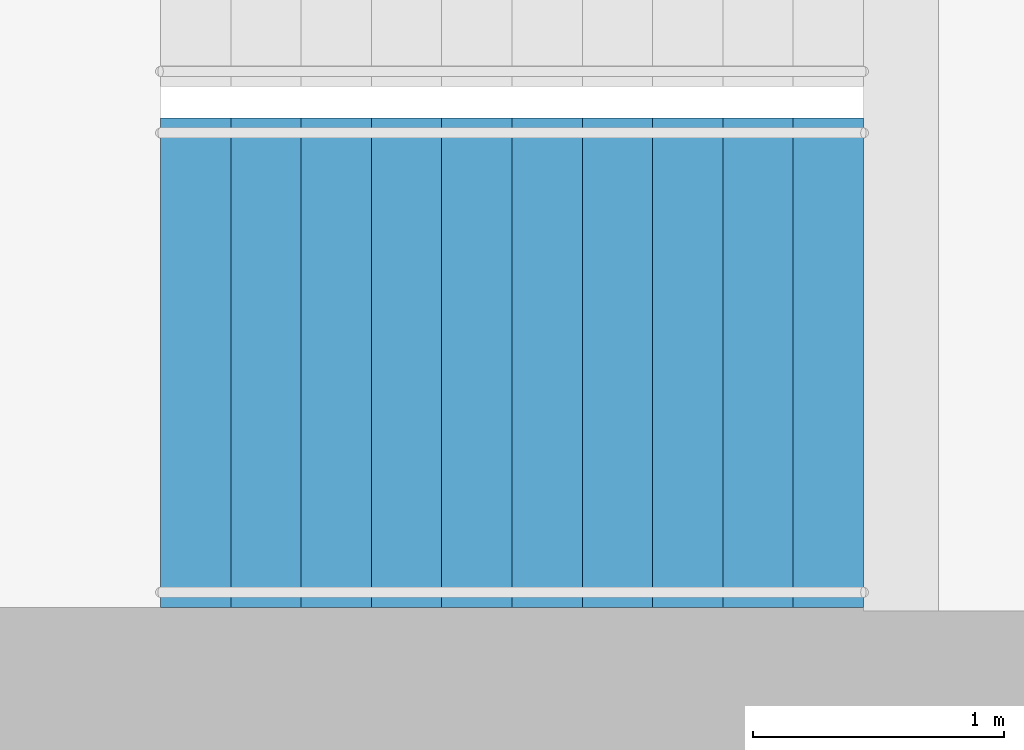
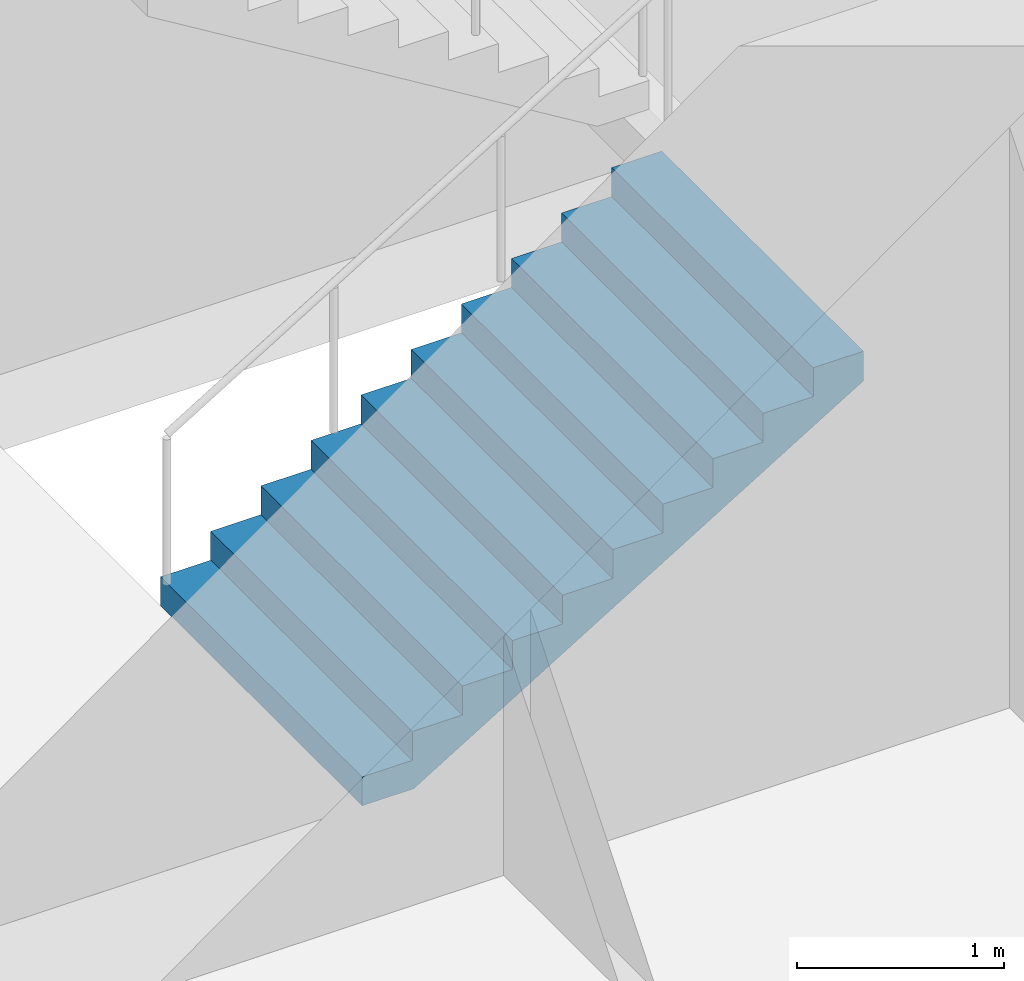
# One storey, part 23 of 28: 1 stair flight, 1 element without a shape of its own.
"""IFC4 building model written with IfcOpenShell, lengths in metres."""

from ifc_helpers import new_model, si_unit, direction, frame, origin, place, context, subcontext, project, spatial, triangles, material, type_object, element, aggregate, save


model = new_model("IFC4")

# Units and contexts
model_context = context("Model", 3, precision=1e-05, world=origin(), true_north=direction((0.0, 1.0)))
body_context = subcontext(model_context, "Body", "Model", "MODEL_VIEW")
ifc_project = project(units=[si_unit("LENGTHUNIT", "METRE"), si_unit("AREAUNIT", "SQUARE_METRE"), si_unit("VOLUMEUNIT", "CUBIC_METRE"), si_unit("PLANEANGLEUNIT", "RADIAN"), si_unit("MASSUNIT", "GRAM", prefix="KILO")], contexts=[model_context])

# Site, building, storey
site_placement = place(None, origin())
site = spatial("IfcSite", under=ifc_project, at=site_placement, CompositionType="ELEMENT")
building_placement = place(site_placement, origin())
building = spatial("IfcBuilding", under=site, at=building_placement, Name="Orbita Commons", CompositionType="ELEMENT")
storey_placement = place(building_placement, frame((0.0, 0.0, 193.60009765625)))
storey = spatial("IfcBuildingStorey", under=building, at=storey_placement, Name="L48", CompositionType="ELEMENT", Elevation=193.60009765625)

# Stair, stair flight
ifc_material_1 = material(Name="Precast concrete C40/50", Category="concrete")
stair_type = type_object("IfcStairType", Name="Exit stair S1 2 flights 11 risers 170", PredefinedType="HALF_TURN_STAIR", material=ifc_material_1)
stair_placement = place(storey_placement, origin())
stair = element("IfcStair", 1, at=stair_placement, inside=storey, type_object=stair_type, Name="Exit stair S1 L48", PredefinedType="HALF_TURN_STAIR")
ifc_material_2 = material(Name="Precast concrete C40/50", Category="concrete")
stair_flight_type = type_object("IfcStairFlightType", Name="Stair flight 11 risers 170 x 280", PredefinedType="STRAIGHT", material=ifc_material_2)
stair_flight_placement = place(storey_placement, frame((20.449951171875, 27.199951171875, 0.0), z_axis=(0.0, 0.0, 1.0), x_axis=(1.0, 0.0, 0.0)))
stair_flight = element("IfcStairFlight", 2, at=stair_flight_placement, type_object=stair_flight_type, Name="S1 flight 1", NumberOfRisers=11, NumberOfTreads=10, PredefinedType="STRAIGHT", RiserHeight=0.170454545, TreadLength=0.28, context=body_context, shape_type="Tessellation", body=[
    triangles([(0.0, 0.974976, 0.0), (0.0, 0.974976, 0.021307), (0.0, 0.81248, 0.021307), (0.0, 0.81248, 0.0), (0.0, 0.649984, 0.021307), (0.0, 0.649984, 0.0), (0.0, 0.487488, 0.021307), (0.0, 0.487488, 0.0), (0.0, 0.324992, 0.021307), (0.0, 0.324992, 0.0), (0.0, 0.162496, 0.021307), (0.0, 0.162496, 0.0), (0.0, 0.0, 0.021307), (0.0, 0.0, 0.0), (0.0, -0.162496, 0.021307), (0.0, -0.162496, 0.0), (0.0, -0.324992, 0.021307), (0.0, -0.324992, 0.0), (0.0, -0.487488, 0.021307), (0.0, -0.487488, 0.0), (0.0, -0.649984, 0.021307), (0.0, -0.649984, 0.0), (0.0, -0.81248, 0.021307), (0.0, -0.81248, 0.0), (0.0, -0.974976, 0.021307), (0.0, -0.974976, 0.0), (0.0, 0.974976, 0.042614), (0.0, 0.81248, 0.042614), (0.0, 0.649984, 0.042614), (0.0, 0.487488, 0.042614), (0.0, 0.324992, 0.042614), (0.0, 0.162496, 0.042614), (0.0, 0.0, 0.042614), (0.0, -0.162496, 0.042614), (0.0, -0.324992, 0.042614), (0.0, -0.487488, 0.042614), (0.0, -0.649984, 0.042614), (0.0, -0.81248, 0.042614), (0.0, -0.974976, 0.042614), (0.0, 0.974976, 0.06392), (0.0, 0.81248, 0.06392), (0.0, 0.649984, 0.06392), (0.0, 0.487488, 0.06392), (0.0, 0.324992, 0.06392), (0.0, 0.162496, 0.06392), (0.0, 0.0, 0.06392), (0.0, -0.162496, 0.06392), (0.0, -0.324992, 0.06392), (0.0, -0.487488, 0.06392), (0.0, -0.649984, 0.06392), (0.0, -0.81248, 0.06392), (0.0, -0.974976, 0.06392), (0.0, 0.974976, 0.085227), (0.0, 0.81248, 0.085227), (0.0, 0.649984, 0.085227), (0.0, 0.487488, 0.085227), (0.0, 0.324992, 0.085227), (0.0, 0.162496, 0.085227), (0.0, 0.0, 0.085227), (0.0, -0.162496, 0.085227), (0.0, -0.324992, 0.085227), (0.0, -0.487488, 0.085227), (0.0, -0.649984, 0.085227), (0.0, -0.81248, 0.085227), (0.0, -0.974976, 0.085227), (0.0, 0.974976, 0.106534), (0.0, 0.81248, 0.106534), (0.0, 0.649984, 0.106534), (0.0, 0.487488, 0.106534), (0.0, 0.324992, 0.106534), (0.0, 0.162496, 0.106534), (0.0, 0.0, 0.106534), (0.0, -0.162496, 0.106534), (0.0, -0.324992, 0.106534), (0.0, -0.487488, 0.106534), (0.0, -0.649984, 0.106534), (0.0, -0.81248, 0.106534), (0.0, -0.974976, 0.106534), (0.0, 0.974976, 0.127841), (0.0, 0.81248, 0.127841), (0.0, 0.649984, 0.127841), (0.0, 0.487488, 0.127841), (0.0, 0.324992, 0.127841), (0.0, 0.162496, 0.127841), (0.0, 0.0, 0.127841), (0.0, -0.162496, 0.127841), (0.0, -0.324992, 0.127841), (0.0, -0.487488, 0.127841), (0.0, -0.649984, 0.127841), (0.0, -0.81248, 0.127841), (0.0, -0.974976, 0.127841), (0.0, 0.974976, 0.149148), (0.0, 0.81248, 0.149148), (0.0, 0.649984, 0.149148), (0.0, 0.487488, 0.149148), (0.0, 0.324992, 0.149148), (0.0, 0.162496, 0.149148), (0.0, 0.0, 0.149148), (0.0, -0.162496, 0.149148), (0.0, -0.324992, 0.149148), (0.0, -0.487488, 0.149148), (0.0, -0.649984, 0.149148), (0.0, -0.81248, 0.149148), (0.0, -0.974976, 0.149148), (0.0, 0.974976, 0.170455), (0.0, 0.81248, 0.170455), (0.0, 0.649984, 0.170455), (0.0, 0.487488, 0.170455), (0.0, 0.324992, 0.170455), (0.0, 0.162496, 0.170455), (0.0, 0.0, 0.170455), (0.0, -0.162496, 0.170455), (0.0, -0.324992, 0.170455), (0.0, -0.487488, 0.170455), (0.0, -0.649984, 0.170455), (0.0, -0.81248, 0.170455), (0.0, -0.974976, 0.170455), (0.28, 0.974976, 0.170455), (0.28, 0.81248, 0.170455), (0.28, 0.649984, 0.170455), (0.28, 0.487488, 0.170455), (0.28, 0.324992, 0.170455), (0.28, 0.162496, 0.170455), (0.28, 0.0, 0.170455), (0.28, -0.162496, 0.170455), (0.28, -0.324992, 0.170455), (0.28, -0.487488, 0.170455), (0.28, -0.649984, 0.170455), (0.28, -0.81248, 0.170455), (0.28, -0.974976, 0.170455), (0.28, 0.974976, 0.340909), (0.28, 0.81248, 0.340909), (0.28, 0.649984, 0.340909), (0.28, 0.487488, 0.340909), (0.28, 0.324992, 0.340909), (0.28, 0.162496, 0.340909), (0.28, 0.0, 0.340909), (0.28, -0.162496, 0.340909), (0.28, -0.324992, 0.340909), (0.28, -0.487488, 0.340909), (0.28, -0.649984, 0.340909), (0.28, -0.81248, 0.340909), (0.28, -0.974976, 0.340909), (0.56, 0.974976, 0.340909), (0.56, 0.81248, 0.340909), (0.56, 0.649984, 0.340909), (0.56, 0.487488, 0.340909), (0.56, 0.324992, 0.340909), (0.56, 0.162496, 0.340909), (0.56, 0.0, 0.340909), (0.56, -0.162496, 0.340909), (0.56, -0.324992, 0.340909), (0.56, -0.487488, 0.340909), (0.56, -0.649984, 0.340909), (0.56, -0.81248, 0.340909), (0.56, -0.974976, 0.340909), (0.56, 0.974976, 0.511364), (0.56, 0.81248, 0.511364), (0.56, 0.649984, 0.511364), (0.56, 0.487488, 0.511364), (0.56, 0.324992, 0.511364), (0.56, 0.162496, 0.511364), (0.56, 0.0, 0.511364), (0.56, -0.162496, 0.511364), (0.56, -0.324992, 0.511364), (0.56, -0.487488, 0.511364), (0.56, -0.649984, 0.511364), (0.56, -0.81248, 0.511364), (0.56, -0.974976, 0.511364), (0.84, 0.974976, 0.511364), (0.84, 0.81248, 0.511364), (0.84, 0.649984, 0.511364), (0.84, 0.487488, 0.511364), (0.84, 0.324992, 0.511364), (0.84, 0.162496, 0.511364), (0.84, 0.0, 0.511364), (0.84, -0.162496, 0.511364), (0.84, -0.324992, 0.511364), (0.84, -0.487488, 0.511364), (0.84, -0.649984, 0.511364), (0.84, -0.81248, 0.511364), (0.84, -0.974976, 0.511364), (0.84, 0.974976, 0.681818), (0.84, 0.81248, 0.681818), (0.84, 0.649984, 0.681818), (0.84, 0.487488, 0.681818), (0.84, 0.324992, 0.681818), (0.84, 0.162496, 0.681818), (0.84, 0.0, 0.681818), (0.84, -0.162496, 0.681818), (0.84, -0.324992, 0.681818), (0.84, -0.487488, 0.681818), (0.84, -0.649984, 0.681818), (0.84, -0.81248, 0.681818), (0.84, -0.974976, 0.681818), (1.12, 0.974976, 0.681818), (1.12, 0.81248, 0.681818), (1.12, 0.649984, 0.681818), (1.12, 0.487488, 0.681818), (1.12, 0.324992, 0.681818), (1.12, 0.162496, 0.681818), (1.12, 0.0, 0.681818), (1.12, -0.162496, 0.681818), (1.12, -0.324992, 0.681818), (1.12, -0.487488, 0.681818), (1.12, -0.649984, 0.681818), (1.12, -0.81248, 0.681818), (1.12, -0.974976, 0.681818), (1.12, 0.974976, 0.852273), (1.12, 0.81248, 0.852273), (1.12, 0.649984, 0.852273), (1.12, 0.487488, 0.852273), (1.12, 0.324992, 0.852273), (1.12, 0.162496, 0.852273), (1.12, 0.0, 0.852273), (1.12, -0.162496, 0.852273), (1.12, -0.324992, 0.852273), (1.12, -0.487488, 0.852273), (1.12, -0.649984, 0.852273), (1.12, -0.81248, 0.852273), (1.12, -0.974976, 0.852273), (1.4, 0.974976, 0.852273), (1.4, 0.81248, 0.852273), (1.4, 0.649984, 0.852273), (1.4, 0.487488, 0.852273), (1.4, 0.324992, 0.852273), (1.4, 0.162496, 0.852273), (1.4, 0.0, 0.852273), (1.4, -0.162496, 0.852273), (1.4, -0.324992, 0.852273), (1.4, -0.487488, 0.852273), (1.4, -0.649984, 0.852273), (1.4, -0.81248, 0.852273), (1.4, -0.974976, 0.852273), (1.4, 0.974976, 1.022727), (1.4, 0.81248, 1.022727), (1.4, 0.649984, 1.022727), (1.4, 0.487488, 1.022727), (1.4, 0.324992, 1.022727), (1.4, 0.162496, 1.022727), (1.4, 0.0, 1.022727), (1.4, -0.162496, 1.022727), (1.4, -0.324992, 1.022727), (1.4, -0.487488, 1.022727), (1.4, -0.649984, 1.022727), (1.4, -0.81248, 1.022727), (1.4, -0.974976, 1.022727), (1.68, 0.974976, 1.022727), (1.68, 0.81248, 1.022727), (1.68, 0.649984, 1.022727), (1.68, 0.487488, 1.022727), (1.68, 0.324992, 1.022727), (1.68, 0.162496, 1.022727), (1.68, 0.0, 1.022727), (1.68, -0.162496, 1.022727), (1.68, -0.324992, 1.022727), (1.68, -0.487488, 1.022727), (1.68, -0.649984, 1.022727), (1.68, -0.81248, 1.022727), (1.68, -0.974976, 1.022727), (1.68, 0.974976, 1.193182), (1.68, 0.81248, 1.193182), (1.68, 0.649984, 1.193182), (1.68, 0.487488, 1.193182), (1.68, 0.324992, 1.193182), (1.68, 0.162496, 1.193182), (1.68, 0.0, 1.193182), (1.68, -0.162496, 1.193182), (1.68, -0.324992, 1.193182), (1.68, -0.487488, 1.193182), (1.68, -0.649984, 1.193182), (1.68, -0.81248, 1.193182), (1.68, -0.974976, 1.193182), (1.96, 0.974976, 1.193182), (1.96, 0.81248, 1.193182), (1.96, 0.649984, 1.193182), (1.96, 0.487488, 1.193182), (1.96, 0.324992, 1.193182), (1.96, 0.162496, 1.193182), (1.96, 0.0, 1.193182), (1.96, -0.162496, 1.193182), (1.96, -0.324992, 1.193182), (1.96, -0.487488, 1.193182), (1.96, -0.649984, 1.193182), (1.96, -0.81248, 1.193182), (1.96, -0.974976, 1.193182), (1.96, 0.974976, 1.363636), (1.96, 0.81248, 1.363636), (1.96, 0.649984, 1.363636), (1.96, 0.487488, 1.363636), (1.96, 0.324992, 1.363636), (1.96, 0.162496, 1.363636), (1.96, 0.0, 1.363636), (1.96, -0.162496, 1.363636), (1.96, -0.324992, 1.363636), (1.96, -0.487488, 1.363636), (1.96, -0.649984, 1.363636), (1.96, -0.81248, 1.363636), (1.96, -0.974976, 1.363636), (2.24, 0.974976, 1.363636), (2.24, 0.81248, 1.363636), (2.24, 0.649984, 1.363636), (2.24, 0.487488, 1.363636), (2.24, 0.324992, 1.363636), (2.24, 0.162496, 1.363636), (2.24, 0.0, 1.363636), (2.24, -0.162496, 1.363636), (2.24, -0.324992, 1.363636), (2.24, -0.487488, 1.363636), (2.24, -0.649984, 1.363636), (2.24, -0.81248, 1.363636), (2.24, -0.974976, 1.363636), (2.24, 0.974976, 1.534091), (2.24, 0.81248, 1.534091), (2.24, 0.649984, 1.534091), (2.24, 0.487488, 1.534091), (2.24, 0.324992, 1.534091), (2.24, 0.162496, 1.534091), (2.24, 0.0, 1.534091), (2.24, -0.162496, 1.534091), (2.24, -0.324992, 1.534091), (2.24, -0.487488, 1.534091), (2.24, -0.649984, 1.534091), (2.24, -0.81248, 1.534091), (2.24, -0.974976, 1.534091), (2.52, 0.974976, 1.534091), (2.52, 0.81248, 1.534091), (2.52, 0.649984, 1.534091), (2.52, 0.487488, 1.534091), (2.52, 0.324992, 1.534091), (2.52, 0.162496, 1.534091), (2.52, 0.0, 1.534091), (2.52, -0.162496, 1.534091), (2.52, -0.324992, 1.534091), (2.52, -0.487488, 1.534091), (2.52, -0.649984, 1.534091), (2.52, -0.81248, 1.534091), (2.52, -0.974976, 1.534091), (2.52, 0.974976, 1.704545), (2.52, 0.81248, 1.704545), (2.52, 0.649984, 1.704545), (2.52, 0.487488, 1.704545), (2.52, 0.324992, 1.704545), (2.52, 0.162496, 1.704545), (2.52, 0.0, 1.704545), (2.52, -0.162496, 1.704545), (2.52, -0.324992, 1.704545), (2.52, -0.487488, 1.704545), (2.52, -0.649984, 1.704545), (2.52, -0.81248, 1.704545), (2.52, -0.974976, 1.704545), (2.8, 0.974976, 1.704545), (2.8, 0.81248, 1.704545), (2.8, 0.649984, 1.704545), (2.8, 0.487488, 1.704545), (2.8, 0.324992, 1.704545), (2.8, 0.162496, 1.704545), (2.8, 0.0, 1.704545), (2.8, -0.162496, 1.704545), (2.8, -0.324992, 1.704545), (2.8, -0.487488, 1.704545), (2.8, -0.649984, 1.704545), (2.8, -0.81248, 1.704545), (2.8, -0.974976, 1.704545), (2.8, 0.974976, 1.682609), (2.8, 0.81248, 1.682609), (2.8, 0.649984, 1.682609), (2.8, 0.487488, 1.682609), (2.8, 0.324992, 1.682609), (2.8, 0.162496, 1.682609), (2.8, 0.0, 1.682609), (2.8, -0.162496, 1.682609), (2.8, -0.324992, 1.682609), (2.8, -0.487488, 1.682609), (2.8, -0.649984, 1.682609), (2.8, -0.81248, 1.682609), (2.8, -0.974976, 1.682609), (2.8, 0.974976, 1.660672), (2.8, 0.81248, 1.660672), (2.8, 0.649984, 1.660672), (2.8, 0.487488, 1.660672), (2.8, 0.324992, 1.660672), (2.8, 0.162496, 1.660672), (2.8, 0.0, 1.660672), (2.8, -0.162496, 1.660672), (2.8, -0.324992, 1.660672), (2.8, -0.487488, 1.660672), (2.8, -0.649984, 1.660672), (2.8, -0.81248, 1.660672), (2.8, -0.974976, 1.660672), (2.8, 0.974976, 1.638735), (2.8, 0.81248, 1.638735), (2.8, 0.649984, 1.638735), (2.8, 0.487488, 1.638735), (2.8, 0.324992, 1.638735), (2.8, 0.162496, 1.638735), (2.8, 0.0, 1.638735), (2.8, -0.162496, 1.638735), (2.8, -0.324992, 1.638735), (2.8, -0.487488, 1.638735), (2.8, -0.649984, 1.638735), (2.8, -0.81248, 1.638735), (2.8, -0.974976, 1.638735), (2.8, 0.974976, 1.616798), (2.8, 0.81248, 1.616798), (2.8, 0.649984, 1.616798), (2.8, 0.487488, 1.616798), (2.8, 0.324992, 1.616798), (2.8, 0.162496, 1.616798), (2.8, 0.0, 1.616798), (2.8, -0.162496, 1.616798), (2.8, -0.324992, 1.616798), (2.8, -0.487488, 1.616798), (2.8, -0.649984, 1.616798), (2.8, -0.81248, 1.616798), (2.8, -0.974976, 1.616798), (2.8, 0.974976, 1.594861), (2.8, 0.81248, 1.594861), (2.8, 0.649984, 1.594861), (2.8, 0.487488, 1.594861), (2.8, 0.324992, 1.594861), (2.8, 0.162496, 1.594861), (2.8, 0.0, 1.594861), (2.8, -0.162496, 1.594861), (2.8, -0.324992, 1.594861), (2.8, -0.487488, 1.594861), (2.8, -0.649984, 1.594861), (2.8, -0.81248, 1.594861), (2.8, -0.974976, 1.594861), (2.8, 0.974976, 1.572925), (2.8, 0.81248, 1.572925), (2.8, 0.649984, 1.572925), (2.8, 0.487488, 1.572925), (2.8, 0.324992, 1.572925), (2.8, 0.162496, 1.572925), (2.8, 0.0, 1.572925), (2.8, -0.162496, 1.572925), (2.8, -0.324992, 1.572925), (2.8, -0.487488, 1.572925), (2.8, -0.649984, 1.572925), (2.8, -0.81248, 1.572925), (2.8, -0.974976, 1.572925), (2.8, 0.974976, 1.550988), (2.8, 0.81248, 1.550988), (2.8, 0.649984, 1.550988), (2.8, 0.487488, 1.550988), (2.8, 0.324992, 1.550988), (2.8, 0.162496, 1.550988), (2.8, 0.0, 1.550988), (2.8, -0.162496, 1.550988), (2.8, -0.324992, 1.550988), (2.8, -0.487488, 1.550988), (2.8, -0.649984, 1.550988), (2.8, -0.81248, 1.550988), (2.8, -0.974976, 1.550988), (2.8, 0.974976, 1.529051), (2.8, 0.81248, 1.529051), (2.8, 0.649984, 1.529051), (2.8, 0.487488, 1.529051), (2.8, 0.324992, 1.529051), (2.8, 0.162496, 1.529051), (2.8, 0.0, 1.529051), (2.8, -0.162496, 1.529051), (2.8, -0.324992, 1.529051), (2.8, -0.487488, 1.529051), (2.8, -0.649984, 1.529051), (2.8, -0.81248, 1.529051), (2.8, -0.974976, 1.529051), (0.288279, 0.974976, 0.0), (0.288279, 0.81248, 0.0), (0.288279, 0.649984, 0.0), (0.288279, 0.487488, 0.0), (0.288279, 0.324992, 0.0), (0.288279, 0.162496, 0.0), (0.288279, 0.0, 0.0), (0.288279, -0.162496, 0.0), (0.288279, -0.324992, 0.0), (0.288279, -0.487488, 0.0), (0.288279, -0.649984, 0.0), (0.288279, -0.81248, 0.0), (0.288279, -0.974976, 0.0)], [[3, 2, 1], [4, 3, 1], [5, 3, 4], [6, 5, 4], [7, 5, 6], [8, 7, 6], [9, 7, 8], [10, 9, 8], [11, 9, 10], [12, 11, 10], [13, 11, 12], [14, 13, 12], [15, 13, 14], [16, 15, 14], [17, 15, 16], [18, 17, 16], [19, 17, 18], [20, 19, 18], [21, 19, 20], [22, 21, 20], [23, 21, 22], [24, 23, 22], [25, 23, 24], [26, 25, 24], [28, 27, 2], [3, 28, 2], [29, 28, 3], [5, 29, 3], [30, 29, 5], [7, 30, 5], [31, 30, 7], [9, 31, 7], [32, 31, 9], [11, 32, 9], [33, 32, 11], [13, 33, 11], [34, 33, 13], [15, 34, 13], [35, 34, 15], [17, 35, 15], [36, 35, 17], [19, 36, 17], [37, 36, 19], [21, 37, 19], [38, 37, 21], [23, 38, 21], [39, 38, 23], [25, 39, 23], [41, 40, 27], [28, 41, 27], [42, 41, 28], [29, 42, 28], [43, 42, 29], [30, 43, 29], [44, 43, 30], [31, 44, 30], [45, 44, 31], [32, 45, 31], [46, 45, 32], [33, 46, 32], [47, 46, 33], [34, 47, 33], [48, 47, 34], [35, 48, 34], [49, 48, 35], [36, 49, 35], [50, 49, 36], [37, 50, 36], [51, 50, 37], [38, 51, 37], [52, 51, 38], [39, 52, 38], [54, 53, 40], [41, 54, 40], [55, 54, 41], [42, 55, 41], [56, 55, 42], [43, 56, 42], [57, 56, 43], [44, 57, 43], [58, 57, 44], [45, 58, 44], [59, 58, 45], [46, 59, 45], [60, 59, 46], [47, 60, 46], [61, 60, 47], [48, 61, 47], [62, 61, 48], [49, 62, 48], [63, 62, 49], [50, 63, 49], [64, 63, 50], [51, 64, 50], [65, 64, 51], [52, 65, 51], [67, 66, 53], [54, 67, 53], [68, 67, 54], [55, 68, 54], [69, 68, 55], [56, 69, 55], [70, 69, 56], [57, 70, 56], [71, 70, 57], [58, 71, 57], [72, 71, 58], [59, 72, 58], [73, 72, 59], [60, 73, 59], [74, 73, 60], [61, 74, 60], [75, 74, 61], [62, 75, 61], [76, 75, 62], [63, 76, 62], [77, 76, 63], [64, 77, 63], [78, 77, 64], [65, 78, 64], [80, 79, 66], [67, 80, 66], [81, 80, 67], [68, 81, 67], [82, 81, 68], [69, 82, 68], [83, 82, 69], [70, 83, 69], [84, 83, 70], [71, 84, 70], [85, 84, 71], [72, 85, 71], [86, 85, 72], [73, 86, 72], [87, 86, 73], [74, 87, 73], [88, 87, 74], [75, 88, 74], [89, 88, 75], [76, 89, 75], [90, 89, 76], [77, 90, 76], [91, 90, 77], [78, 91, 77], [93, 92, 79], [80, 93, 79], [94, 93, 80], [81, 94, 80], [95, 94, 81], [82, 95, 81], [96, 95, 82], [83, 96, 82], [97, 96, 83], [84, 97, 83], [98, 97, 84], [85, 98, 84], [99, 98, 85], [86, 99, 85], [100, 99, 86], [87, 100, 86], [101, 100, 87], [88, 101, 87], [102, 101, 88], [89, 102, 88], [103, 102, 89], [90, 103, 89], [104, 103, 90], [91, 104, 90], [106, 105, 92], [93, 106, 92], [107, 106, 93], [94, 107, 93], [108, 107, 94], [95, 108, 94], [109, 108, 95], [96, 109, 95], [110, 109, 96], [97, 110, 96], [111, 110, 97], [98, 111, 97], [112, 111, 98], [99, 112, 98], [113, 112, 99], [100, 113, 99], [114, 113, 100], [101, 114, 100], [115, 114, 101], [102, 115, 101], [116, 115, 102], [103, 116, 102], [117, 116, 103], [104, 117, 103], [119, 118, 105], [106, 119, 105], [120, 119, 106], [107, 120, 106], [121, 120, 107], [108, 121, 107], [122, 121, 108], [109, 122, 108], [123, 122, 109], [110, 123, 109], [124, 123, 110], [111, 124, 110], [125, 124, 111], [112, 125, 111], [126, 125, 112], [113, 126, 112], [127, 126, 113], [114, 127, 113], [128, 127, 114], [115, 128, 114], [129, 128, 115], [116, 129, 115], [130, 129, 116], [117, 130, 116], [132, 131, 118], [119, 132, 118], [133, 132, 119], [120, 133, 119], [134, 133, 120], [121, 134, 120], [135, 134, 121], [122, 135, 121], [136, 135, 122], [123, 136, 122], [137, 136, 123], [124, 137, 123], [138, 137, 124], [125, 138, 124], [139, 138, 125], [126, 139, 125], [140, 139, 126], [127, 140, 126], [141, 140, 127], [128, 141, 127], [142, 141, 128], [129, 142, 128], [143, 142, 129], [130, 143, 129], [145, 144, 131], [132, 145, 131], [146, 145, 132], [133, 146, 132], [147, 146, 133], [134, 147, 133], [148, 147, 134], [135, 148, 134], [149, 148, 135], [136, 149, 135], [150, 149, 136], [137, 150, 136], [151, 150, 137], [138, 151, 137], [152, 151, 138], [139, 152, 138], [153, 152, 139], [140, 153, 139], [154, 153, 140], [141, 154, 140], [155, 154, 141], [142, 155, 141], [156, 155, 142], [143, 156, 142], [158, 157, 144], [145, 158, 144], [159, 158, 145], [146, 159, 145], [160, 159, 146], [147, 160, 146], [161, 160, 147], [148, 161, 147], [162, 161, 148], [149, 162, 148], [163, 162, 149], [150, 163, 149], [164, 163, 150], [151, 164, 150], [165, 164, 151], [152, 165, 151], [166, 165, 152], [153, 166, 152], [167, 166, 153], [154, 167, 153], [168, 167, 154], [155, 168, 154], [169, 168, 155], [156, 169, 155], [171, 170, 157], [158, 171, 157], [172, 171, 158], [159, 172, 158], [173, 172, 159], [160, 173, 159], [174, 173, 160], [161, 174, 160], [175, 174, 161], [162, 175, 161], [176, 175, 162], [163, 176, 162], [177, 176, 163], [164, 177, 163], [178, 177, 164], [165, 178, 164], [179, 178, 165], [166, 179, 165], [180, 179, 166], [167, 180, 166], [181, 180, 167], [168, 181, 167], [182, 181, 168], [169, 182, 168], [184, 183, 170], [171, 184, 170], [185, 184, 171], [172, 185, 171], [186, 185, 172], [173, 186, 172], [187, 186, 173], [174, 187, 173], [188, 187, 174], [175, 188, 174], [189, 188, 175], [176, 189, 175], [190, 189, 176], [177, 190, 176], [191, 190, 177], [178, 191, 177], [192, 191, 178], [179, 192, 178], [193, 192, 179], [180, 193, 179], [194, 193, 180], [181, 194, 180], [195, 194, 181], [182, 195, 181], [197, 196, 183], [184, 197, 183], [198, 197, 184], [185, 198, 184], [199, 198, 185], [186, 199, 185], [200, 199, 186], [187, 200, 186], [201, 200, 187], [188, 201, 187], [202, 201, 188], [189, 202, 188], [203, 202, 189], [190, 203, 189], [204, 203, 190], [191, 204, 190], [205, 204, 191], [192, 205, 191], [206, 205, 192], [193, 206, 192], [207, 206, 193], [194, 207, 193], [208, 207, 194], [195, 208, 194], [210, 209, 196], [197, 210, 196], [211, 210, 197], [198, 211, 197], [212, 211, 198], [199, 212, 198], [213, 212, 199], [200, 213, 199], [214, 213, 200], [201, 214, 200], [215, 214, 201], [202, 215, 201], [216, 215, 202], [203, 216, 202], [217, 216, 203], [204, 217, 203], [218, 217, 204], [205, 218, 204], [219, 218, 205], [206, 219, 205], [220, 219, 206], [207, 220, 206], [221, 220, 207], [208, 221, 207], [223, 222, 209], [210, 223, 209], [224, 223, 210], [211, 224, 210], [225, 224, 211], [212, 225, 211], [226, 225, 212], [213, 226, 212], [227, 226, 213], [214, 227, 213], [228, 227, 214], [215, 228, 214], [229, 228, 215], [216, 229, 215], [230, 229, 216], [217, 230, 216], [231, 230, 217], [218, 231, 217], [232, 231, 218], [219, 232, 218], [233, 232, 219], [220, 233, 219], [234, 233, 220], [221, 234, 220], [236, 235, 222], [223, 236, 222], [237, 236, 223], [224, 237, 223], [238, 237, 224], [225, 238, 224], [239, 238, 225], [226, 239, 225], [240, 239, 226], [227, 240, 226], [241, 240, 227], [228, 241, 227], [242, 241, 228], [229, 242, 228], [243, 242, 229], [230, 243, 229], [244, 243, 230], [231, 244, 230], [245, 244, 231], [232, 245, 231], [246, 245, 232], [233, 246, 232], [247, 246, 233], [234, 247, 233], [249, 248, 235], [236, 249, 235], [250, 249, 236], [237, 250, 236], [251, 250, 237], [238, 251, 237], [252, 251, 238], [239, 252, 238], [253, 252, 239], [240, 253, 239], [254, 253, 240], [241, 254, 240], [255, 254, 241], [242, 255, 241], [256, 255, 242], [243, 256, 242], [257, 256, 243], [244, 257, 243], [258, 257, 244], [245, 258, 244], [259, 258, 245], [246, 259, 245], [260, 259, 246], [247, 260, 246], [262, 261, 248], [249, 262, 248], [263, 262, 249], [250, 263, 249], [264, 263, 250], [251, 264, 250], [265, 264, 251], [252, 265, 251], [266, 265, 252], [253, 266, 252], [267, 266, 253], [254, 267, 253], [268, 267, 254], [255, 268, 254], [269, 268, 255], [256, 269, 255], [270, 269, 256], [257, 270, 256], [271, 270, 257], [258, 271, 257], [272, 271, 258], [259, 272, 258], [273, 272, 259], [260, 273, 259], [275, 274, 261], [262, 275, 261], [276, 275, 262], [263, 276, 262], [277, 276, 263], [264, 277, 263], [278, 277, 264], [265, 278, 264], [279, 278, 265], [266, 279, 265], [280, 279, 266], [267, 280, 266], [281, 280, 267], [268, 281, 267], [282, 281, 268], [269, 282, 268], [283, 282, 269], [270, 283, 269], [284, 283, 270], [271, 284, 270], [285, 284, 271], [272, 285, 271], [286, 285, 272], [273, 286, 272], [288, 287, 274], [275, 288, 274], [289, 288, 275], [276, 289, 275], [290, 289, 276], [277, 290, 276], [291, 290, 277], [278, 291, 277], [292, 291, 278], [279, 292, 278], [293, 292, 279], [280, 293, 279], [294, 293, 280], [281, 294, 280], [295, 294, 281], [282, 295, 281], [296, 295, 282], [283, 296, 282], [297, 296, 283], [284, 297, 283], [298, 297, 284], [285, 298, 284], [299, 298, 285], [286, 299, 285], [301, 300, 287], [288, 301, 287], [302, 301, 288], [289, 302, 288], [303, 302, 289], [290, 303, 289], [304, 303, 290], [291, 304, 290], [305, 304, 291], [292, 305, 291], [306, 305, 292], [293, 306, 292], [307, 306, 293], [294, 307, 293], [308, 307, 294], [295, 308, 294], [309, 308, 295], [296, 309, 295], [310, 309, 296], [297, 310, 296], [311, 310, 297], [298, 311, 297], [312, 311, 298], [299, 312, 298], [314, 313, 300], [301, 314, 300], [315, 314, 301], [302, 315, 301], [316, 315, 302], [303, 316, 302], [317, 316, 303], [304, 317, 303], [318, 317, 304], [305, 318, 304], [319, 318, 305], [306, 319, 305], [320, 319, 306], [307, 320, 306], [321, 320, 307], [308, 321, 307], [322, 321, 308], [309, 322, 308], [323, 322, 309], [310, 323, 309], [324, 323, 310], [311, 324, 310], [325, 324, 311], [312, 325, 311], [327, 326, 313], [314, 327, 313], [328, 327, 314], [315, 328, 314], [329, 328, 315], [316, 329, 315], [330, 329, 316], [317, 330, 316], [331, 330, 317], [318, 331, 317], [332, 331, 318], [319, 332, 318], [333, 332, 319], [320, 333, 319], [334, 333, 320], [321, 334, 320], [335, 334, 321], [322, 335, 321], [336, 335, 322], [323, 336, 322], [337, 336, 323], [324, 337, 323], [338, 337, 324], [325, 338, 324], [340, 339, 326], [327, 340, 326], [341, 340, 327], [328, 341, 327], [342, 341, 328], [329, 342, 328], [343, 342, 329], [330, 343, 329], [344, 343, 330], [331, 344, 330], [345, 344, 331], [332, 345, 331], [346, 345, 332], [333, 346, 332], [347, 346, 333], [334, 347, 333], [348, 347, 334], [335, 348, 334], [349, 348, 335], [336, 349, 335], [350, 349, 336], [337, 350, 336], [351, 350, 337], [338, 351, 337], [353, 352, 339], [340, 353, 339], [354, 353, 340], [341, 354, 340], [355, 354, 341], [342, 355, 341], [356, 355, 342], [343, 356, 342], [357, 356, 343], [344, 357, 343], [358, 357, 344], [345, 358, 344], [359, 358, 345], [346, 359, 345], [360, 359, 346], [347, 360, 346], [361, 360, 347], [348, 361, 347], [362, 361, 348], [349, 362, 348], [363, 362, 349], [350, 363, 349], [364, 363, 350], [351, 364, 350], [366, 365, 352], [353, 366, 352], [367, 366, 353], [354, 367, 353], [368, 367, 354], [355, 368, 354], [369, 368, 355], [356, 369, 355], [370, 369, 356], [357, 370, 356], [371, 370, 357], [358, 371, 357], [372, 371, 358], [359, 372, 358], [373, 372, 359], [360, 373, 359], [374, 373, 360], [361, 374, 360], [375, 374, 361], [362, 375, 361], [376, 375, 362], [363, 376, 362], [377, 376, 363], [364, 377, 363], [379, 378, 365], [366, 379, 365], [380, 379, 366], [367, 380, 366], [381, 380, 367], [368, 381, 367], [382, 381, 368], [369, 382, 368], [383, 382, 369], [370, 383, 369], [384, 383, 370], [371, 384, 370], [385, 384, 371], [372, 385, 371], [386, 385, 372], [373, 386, 372], [387, 386, 373], [374, 387, 373], [388, 387, 374], [375, 388, 374], [389, 388, 375], [376, 389, 375], [390, 389, 376], [377, 390, 376], [392, 391, 378], [379, 392, 378], [393, 392, 379], [380, 393, 379], [394, 393, 380], [381, 394, 380], [395, 394, 381], [382, 395, 381], [396, 395, 382], [383, 396, 382], [397, 396, 383], [384, 397, 383], [398, 397, 384], [385, 398, 384], [399, 398, 385], [386, 399, 385], [400, 399, 386], [387, 400, 386], [401, 400, 387], [388, 401, 387], [402, 401, 388], [389, 402, 388], [403, 402, 389], [390, 403, 389], [405, 404, 391], [392, 405, 391], [406, 405, 392], [393, 406, 392], [407, 406, 393], [394, 407, 393], [408, 407, 394], [395, 408, 394], [409, 408, 395], [396, 409, 395], [410, 409, 396], [397, 410, 396], [411, 410, 397], [398, 411, 397], [412, 411, 398], [399, 412, 398], [413, 412, 399], [400, 413, 399], [414, 413, 400], [401, 414, 400], [415, 414, 401], [402, 415, 401], [416, 415, 402], [403, 416, 402], [418, 417, 404], [405, 418, 404], [419, 418, 405], [406, 419, 405], [420, 419, 406], [407, 420, 406], [421, 420, 407], [408, 421, 407], [422, 421, 408], [409, 422, 408], [423, 422, 409], [410, 423, 409], [424, 423, 410], [411, 424, 410], [425, 424, 411], [412, 425, 411], [426, 425, 412], [413, 426, 412], [427, 426, 413], [414, 427, 413], [428, 427, 414], [415, 428, 414], [429, 428, 415], [416, 429, 415], [431, 430, 417], [418, 431, 417], [432, 431, 418], [419, 432, 418], [433, 432, 419], [420, 433, 419], [434, 433, 420], [421, 434, 420], [435, 434, 421], [422, 435, 421], [436, 435, 422], [423, 436, 422], [437, 436, 423], [424, 437, 423], [438, 437, 424], [425, 438, 424], [439, 438, 425], [426, 439, 425], [440, 439, 426], [427, 440, 426], [441, 440, 427], [428, 441, 427], [442, 441, 428], [429, 442, 428], [444, 443, 430], [431, 444, 430], [445, 444, 431], [432, 445, 431], [446, 445, 432], [433, 446, 432], [447, 446, 433], [434, 447, 433], [448, 447, 434], [435, 448, 434], [449, 448, 435], [436, 449, 435], [450, 449, 436], [437, 450, 436], [451, 450, 437], [438, 451, 437], [452, 451, 438], [439, 452, 438], [453, 452, 439], [440, 453, 439], [454, 453, 440], [441, 454, 440], [455, 454, 441], [442, 455, 441], [457, 456, 443], [444, 457, 443], [458, 457, 444], [445, 458, 444], [459, 458, 445], [446, 459, 445], [460, 459, 446], [447, 460, 446], [461, 460, 447], [448, 461, 447], [462, 461, 448], [449, 462, 448], [463, 462, 449], [450, 463, 449], [464, 463, 450], [451, 464, 450], [465, 464, 451], [452, 465, 451], [466, 465, 452], [453, 466, 452], [467, 466, 453], [454, 467, 453], [468, 467, 454], [455, 468, 454], [470, 469, 456], [457, 470, 456], [471, 470, 457], [458, 471, 457], [472, 471, 458], [459, 472, 458], [473, 472, 459], [460, 473, 459], [474, 473, 460], [461, 474, 460], [475, 474, 461], [462, 475, 461], [476, 475, 462], [463, 476, 462], [477, 476, 463], [464, 477, 463], [478, 477, 464], [465, 478, 464], [479, 478, 465], [466, 479, 465], [480, 479, 466], [467, 480, 466], [481, 480, 467], [468, 481, 467], [4, 1, 469], [470, 4, 469], [6, 4, 470], [471, 6, 470], [8, 6, 471], [472, 8, 471], [10, 8, 472], [473, 10, 472], [12, 10, 473], [474, 12, 473], [14, 12, 474], [475, 14, 474], [16, 14, 475], [476, 16, 475], [18, 16, 476], [477, 18, 476], [20, 18, 477], [478, 20, 477], [22, 20, 478], [479, 22, 478], [24, 22, 479], [480, 24, 479], [26, 24, 480], [481, 26, 480], [456, 469, 1], [26, 481, 468], [443, 456, 1], [26, 468, 455], [430, 443, 1], [26, 455, 442], [417, 430, 1], [26, 442, 429], [404, 417, 1], [26, 429, 416], [391, 404, 1], [26, 416, 403], [378, 391, 1], [26, 403, 390], [365, 378, 1], [26, 390, 377], [339, 352, 365], [377, 364, 351], [326, 339, 365], [377, 351, 338], [300, 313, 326], [338, 325, 312], [300, 326, 365], [377, 338, 312], [274, 287, 300], [312, 299, 286], [274, 300, 365], [377, 312, 286], [248, 261, 274], [286, 273, 260], [248, 274, 365], [377, 286, 260], [222, 235, 248], [260, 247, 234], [222, 248, 365], [377, 260, 234], [196, 209, 222], [234, 221, 208], [196, 222, 365], [377, 234, 208], [170, 183, 196], [208, 195, 182], [170, 196, 365], [377, 208, 182], [144, 157, 170], [182, 169, 156], [144, 170, 365], [377, 182, 156], [118, 131, 144], [156, 143, 130], [118, 144, 365], [377, 156, 130], [118, 365, 1], [26, 377, 130], [92, 105, 118], [130, 117, 104], [79, 92, 118], [130, 104, 91], [66, 79, 118], [130, 91, 78], [53, 66, 118], [130, 78, 65], [40, 53, 118], [130, 65, 52], [27, 40, 118], [130, 52, 39], [2, 27, 118], [130, 39, 25], [1, 2, 118], [130, 25, 26]], closed=True),
])
aggregate(stair, [stair_flight])

save(model, "model.ifc")
